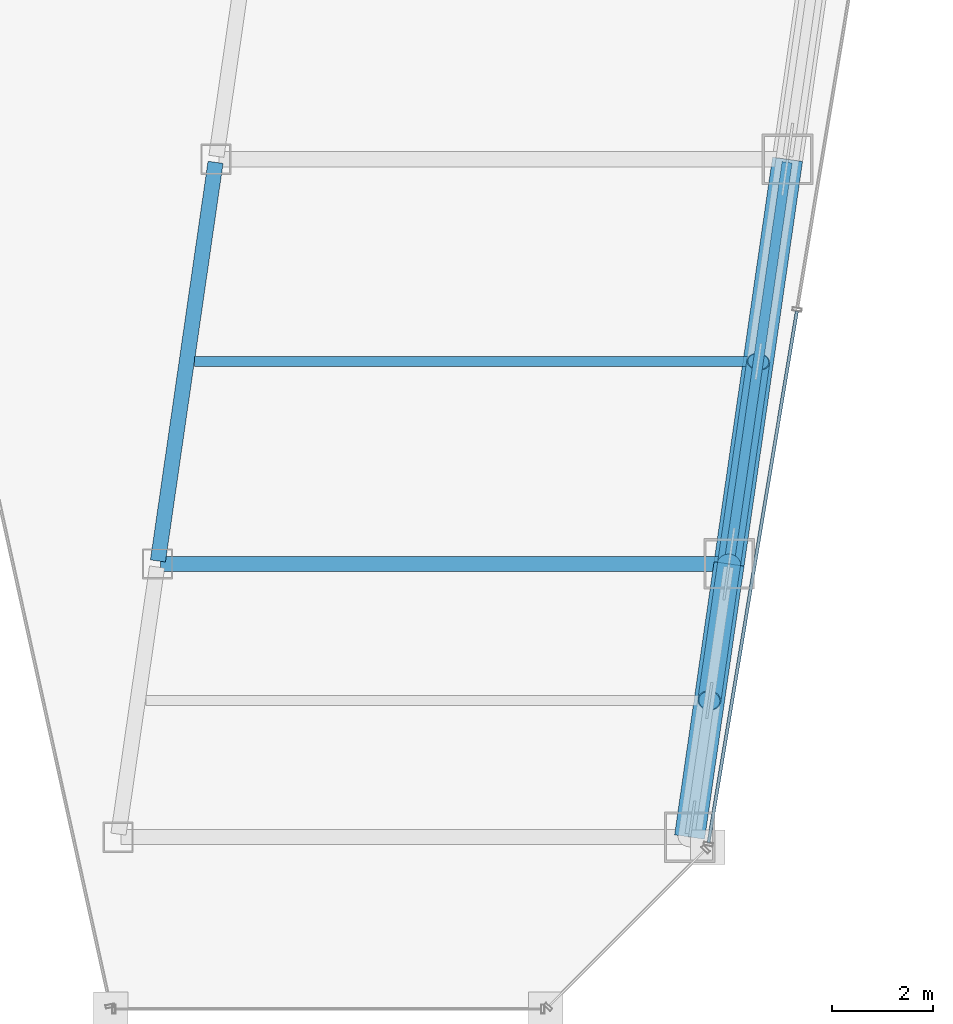
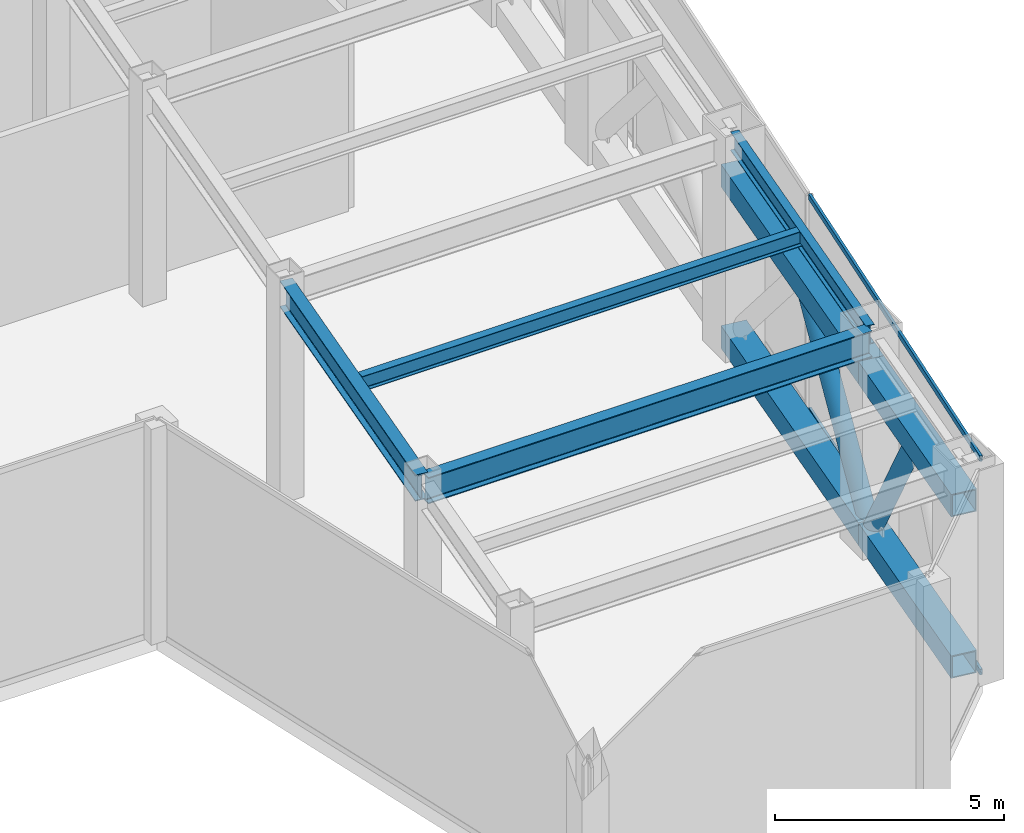
# One storey, part 12 of 30: 8 members, 4 beams, 1 element without a shape of its own.
"""IFC4 building model written with IfcOpenShell, lengths in metres."""

from ifc_helpers import new_model, si_unit, direction, frame, origin, origin_2d, place, context, subcontext, project, spatial, hollow_rectangle, hollow_circle, i_section, extrude, material, material_profile, profile_set, type_object, element, aggregate, save


model = new_model("IFC4")

# Units and contexts
model_context = context("Model", 3, precision=1e-05, world=origin(), true_north=direction((0.0, 1.0)))
body_context = subcontext(model_context, "Body", "Model", "MODEL_VIEW")
ifc_project = project(units=[si_unit("LENGTHUNIT", "METRE"), si_unit("AREAUNIT", "SQUARE_METRE"), si_unit("VOLUMEUNIT", "CUBIC_METRE"), si_unit("PLANEANGLEUNIT", "RADIAN"), si_unit("MASSUNIT", "GRAM", prefix="KILO")], contexts=[model_context])

# Site, building, storey
site_placement = place(None, origin())
site = spatial("IfcSite", under=ifc_project, at=site_placement, CompositionType="ELEMENT")
building_placement = place(site_placement, origin())
building = spatial("IfcBuilding", under=site, at=building_placement, Name="Saevonmaru Cultural Tower", CompositionType="ELEMENT")
storey_placement = place(building_placement, frame((0.0, 0.0, 123.60009765625)))
storey = spatial("IfcBuildingStorey", under=building, at=storey_placement, Name="L26", CompositionType="ELEMENT", Elevation=123.60009765625)

# Beams
ifc_material_1 = material(Name="Steel SM355", Category="steel")
ifc_material_profile_1 = material_profile(ifc_material_1, i_section(OverallWidth=0.300048828125, OverallDepth=0.699951171875, WebThickness=0.012939453125, FlangeThickness=0.02392578125, FilletRadius=0.02587890625, at=origin_2d()), Name="H-700x300x13x24")
ifc_profile_set_1 = profile_set([ifc_material_profile_1], Name="Steel SM355")
beam_type_1 = type_object("IfcBeamType", Name="BM-G-H700", PredefinedType="BEAM", material=ifc_profile_set_1)
beam_1_placement = place(storey_placement, frame((38.08056640625, 16.059326171875, 5.39990234375), z_axis=(0.143022161059, 0.989719486241, 0.0), x_axis=(-0.989719486241, 0.143022161059, 0.0)))
element("IfcBeam", 1, at=beam_1_placement, inside=storey, type_object=beam_type_1, Name="L26 East Atrium Girder 2", PredefinedType="BEAM", context=body_context, shape_type="SweptSolid", body=[
    extrude(i_section(OverallWidth=0.300048828125, OverallDepth=0.699951171875, WebThickness=0.012939453125, FlangeThickness=0.02392578125, FilletRadius=0.02587890625, at=origin_2d()), origin(), (0.0, 0.0, 1.0), 7.963134765625),
])
beam_2_placement = place(storey_placement, frame((38.132080078125, 16.0, 5.39990234375), z_axis=(1.0, 0.0, 0.0), x_axis=(0.0, 1.0, 0.0)))
element("IfcBeam", 2, at=beam_2_placement, inside=storey, type_object=beam_type_1, Name="L26 East Wing Transverse Girder 2", PredefinedType="BEAM", context=body_context, shape_type="SweptSolid", body=[
    extrude(i_section(OverallWidth=0.300048828125, OverallDepth=0.699951171875, WebThickness=0.012939453125, FlangeThickness=0.02392578125, FilletRadius=0.02587890625, at=origin_2d()), origin(), (0.0, 0.0, 1.0), 11.179931640625),
])
ifc_material_profile_2 = material_profile(ifc_material_1, i_section(OverallWidth=0.199951171875, OverallDepth=0.39990234375, WebThickness=0.008056640625, FlangeThickness=0.012939453125, FilletRadius=0.01611328125, at=origin_2d()), Name="H-400x200x8x13")
ifc_profile_set_2 = profile_set([ifc_material_profile_2], Name="Steel SM355")
beam_type_2 = type_object("IfcBeamType", Name="BM-J-H400", PredefinedType="JOIST", material=ifc_profile_set_2)
beam_3_placement = place(storey_placement, frame((38.80810546875, 20.0, 5.5498046875), z_axis=(1.0, 0.0, 0.0), x_axis=(0.0, 1.0, 0.0)))
element("IfcBeam", 3, at=beam_3_placement, inside=storey, type_object=beam_type_2, Name="L26 East Wing Floor Joist 2", PredefinedType="JOIST", context=body_context, shape_type="SweptSolid", body=[
    extrude(i_section(OverallWidth=0.199951171875, OverallDepth=0.39990234375, WebThickness=0.008056640625, FlangeThickness=0.012939453125, FilletRadius=0.01611328125, at=origin_2d()), origin(), (0.0, 0.0, 1.0), 11.081787109375),
])
ifc_material_profile_3 = material_profile(ifc_material_1, i_section(OverallWidth=0.199951171875, OverallDepth=0.5, WebThickness=0.010009765625, FlangeThickness=0.01611328125, FilletRadius=0.02001953125, at=origin_2d()), Name="H-500x200x10x16")
ifc_profile_set_3 = profile_set([ifc_material_profile_3], Name="Steel SM355")
beam_type_3 = type_object("IfcBeamType", Name="BM-SP-H500", PredefinedType="SPANDREL", material=ifc_profile_set_3)
beam_4_placement = place(storey_placement, frame((49.380615234375, 16.059326171875, 5.5), z_axis=(0.142992129437, 0.989723825579, 0.0), x_axis=(-0.989723825579, 0.142992129437, 0.0)))
element("IfcBeam", 4, at=beam_4_placement, inside=storey, type_object=beam_type_3, Name="L26 East Splayed Spandrel 2", PredefinedType="SPANDREL", context=body_context, shape_type="SweptSolid", body=[
    extrude(i_section(OverallWidth=0.199951171875, OverallDepth=0.5, WebThickness=0.010009765625, FlangeThickness=0.01611328125, FilletRadius=0.02001953125, at=origin_2d()), origin(), (0.0, 0.0, 1.0), 7.963134765625),
])

# Members
ifc_material_2 = material(Name="Steel SM420", Category="steel")
ifc_material_profile_4 = material_profile(ifc_material_2, hollow_circle(Radius=0.228515625, WallThickness=0.02001953125, at=origin_2d()), Name="CHS-457.2x20")
ifc_profile_set_4 = profile_set([ifc_material_profile_4], Name="Steel SM420")
member_type_1 = type_object("IfcMemberType", Name="MB-BBR-CHS457", PredefinedType="BRACE", material=ifc_profile_set_4)
member_1_placement = place(storey_placement, frame((49.3720703125, 16.0, 0.2998046875), z_axis=(-0.076611820355, -0.530194068398, 0.844408004946), x_axis=(0.989720898515, -0.143012387723, 0.0)))
element("IfcMember", 5, at=member_1_placement, inside=storey, type_object=member_type_1, Name="L26 Belt Truss Diagonal BE1-2", PredefinedType="BRACE", context=body_context, shape_type="SweptSolid", body=[
    extrude(hollow_circle(Radius=0.228515625, WallThickness=0.02001953125, at=origin_2d()), origin(), (0.0, 0.0, 1.0), 5.09228515625),
])
member_2_placement = place(storey_placement, frame((49.3720703125, 16.0, 0.2998046875), z_axis=(0.097925703309, 0.677826245462, 0.728671488117), x_axis=(-0.989724747682, 0.142985746934, 0.0)))
element("IfcMember", 6, at=member_2_placement, inside=storey, type_object=member_type_1, Name="L26 Belt Truss Diagonal BE2-1", PredefinedType="BRACE", context=body_context, shape_type="SweptSolid", body=[
    extrude(hollow_circle(Radius=0.228515625, WallThickness=0.02001953125, at=origin_2d()), origin(), (0.0, 0.0, 1.0), 5.901123046875),
])
ifc_material_profile_5 = material_profile(ifc_material_2, hollow_rectangle(XDim=0.60009765625, YDim=0.60009765625, WallThickness=0.028076171875, at=origin_2d()), Name="BOX-600x600x28")
ifc_profile_set_5 = profile_set([ifc_material_profile_5], Name="Steel SM420")
member_type_2 = type_object("IfcMemberType", Name="MB-BCH-BOX600", PredefinedType="CHORD", material=ifc_profile_set_5)
for number, where, z_axis, x_axis, name in (
    (7, (48.592041015625, 10.60009765625, 0.2998046875), (0.142968555193, 0.989727231224, 0.0), (-0.989727231224, 0.142968555193, 0.0), "L26 Belt Truss Bottom Chord BE1"),
    (8, (48.592041015625, 10.60009765625, 4.599853515625), (0.142968555193, 0.989727231224, 0.0), (-0.989727231224, 0.142968555193, 0.0), "L26 Belt Truss Top Chord BE1"),
):
    element("IfcMember", number, at=place(storey_placement, frame(where, z_axis=z_axis, x_axis=x_axis)), inside=storey, type_object=member_type_2, Name=name, PredefinedType="CHORD", context=body_context, shape_type="SweptSolid", body=[
        extrude(hollow_rectangle(XDim=0.60009765625, YDim=0.60009765625, WallThickness=0.028076171875, at=origin_2d()), origin(), (0.0, 0.0, 1.0), 5.4560546875),
    ])
for number, where, z_axis, x_axis, name in (
    (9, (49.3720703125, 16.0, 0.2998046875), (0.143015333226, 0.989720472892, 0.0), (-0.989720472892, 0.143015333226, 0.0), "L26 Belt Truss Bottom Chord BE2"),
    (10, (49.3720703125, 16.0, 4.599853515625), (0.143015333226, 0.989720472892, 0.0), (-0.989720472892, 0.143015333226, 0.0), "L26 Belt Truss Top Chord BE2"),
):
    element("IfcMember", number, at=place(storey_placement, frame(where, z_axis=z_axis, x_axis=x_axis)), inside=storey, type_object=member_type_2, Name=name, PredefinedType="CHORD", context=body_context, shape_type="SweptSolid", body=[
        extrude(hollow_rectangle(XDim=0.60009765625, YDim=0.60009765625, WallThickness=0.028076171875, at=origin_2d()), origin(), (0.0, 0.0, 1.0), 8.0830078125),
    ])

# Curtain wall, members
ifc_material_3 = material(Name="Satin Bronze Anodised Aluminium", Category="aluminium")
curtain_wall_type = type_object("IfcCurtainWallType", Name="CW-TYP-A", PredefinedType="NOTDEFINED", material=ifc_material_3)
curtain_wall_placement = place(storey_placement, origin())
curtain_wall = element("IfcCurtainWall", 11, at=curtain_wall_placement, inside=storey, type_object=curtain_wall_type, Name="L26 Wind-Floor Acoustic Louvre Screen E8", PredefinedType="NOTDEFINED")
ifc_material_profile_6 = material_profile(ifc_material_3, hollow_rectangle(XDim=0.06494140625, YDim=0.14990234375, WallThickness=0.00390625, at=origin_2d()), Name="ALU-TRAN-150x65x4")
ifc_profile_set_6 = profile_set([ifc_material_profile_6], Name="Satin Bronze Anodised Aluminium")
member_type_3 = type_object("IfcMemberType", Name="TR-CW-150x65", PredefinedType="USERDEFINED", material=ifc_profile_set_6)
member_3_placement = place(storey_placement, frame((48.96630859375, 10.4912109375, 0.032470703125), z_axis=(0.163990079074, 0.9864619881, 0.0), x_axis=(-0.9864619881, 0.163990079074, 0.0)))
member_3 = element("IfcMember", 12, at=member_3_placement, type_object=member_type_3, Name="CW-TW-L26-E8 transom 1.1", ObjectType="TRANSOM", PredefinedType="USERDEFINED", context=body_context, shape_type="SweptSolid", body=[
    extrude(hollow_rectangle(XDim=0.06494140625, YDim=0.14990234375, WallThickness=0.00390625, at=origin_2d()), origin(), (0.0, 0.0, 1.0), 10.650634765625),
])
member_4_placement = place(storey_placement, frame((48.96630859375, 10.4912109375, 5.71728515625), z_axis=(0.163990079074, 0.9864619881, 0.0), x_axis=(-0.9864619881, 0.163990079074, 0.0)))
member_4 = element("IfcMember", 13, at=member_4_placement, type_object=member_type_3, Name="CW-TW-L26-E8 transom 1.2", ObjectType="TRANSOM", PredefinedType="USERDEFINED", context=body_context, shape_type="SweptSolid", body=[
    extrude(hollow_rectangle(XDim=0.06494140625, YDim=0.14990234375, WallThickness=0.00390625, at=origin_2d()), origin(), (0.0, 0.0, 1.0), 10.650634765625),
])
aggregate(curtain_wall, [member_3, member_4])

save(model, "model.ifc")
